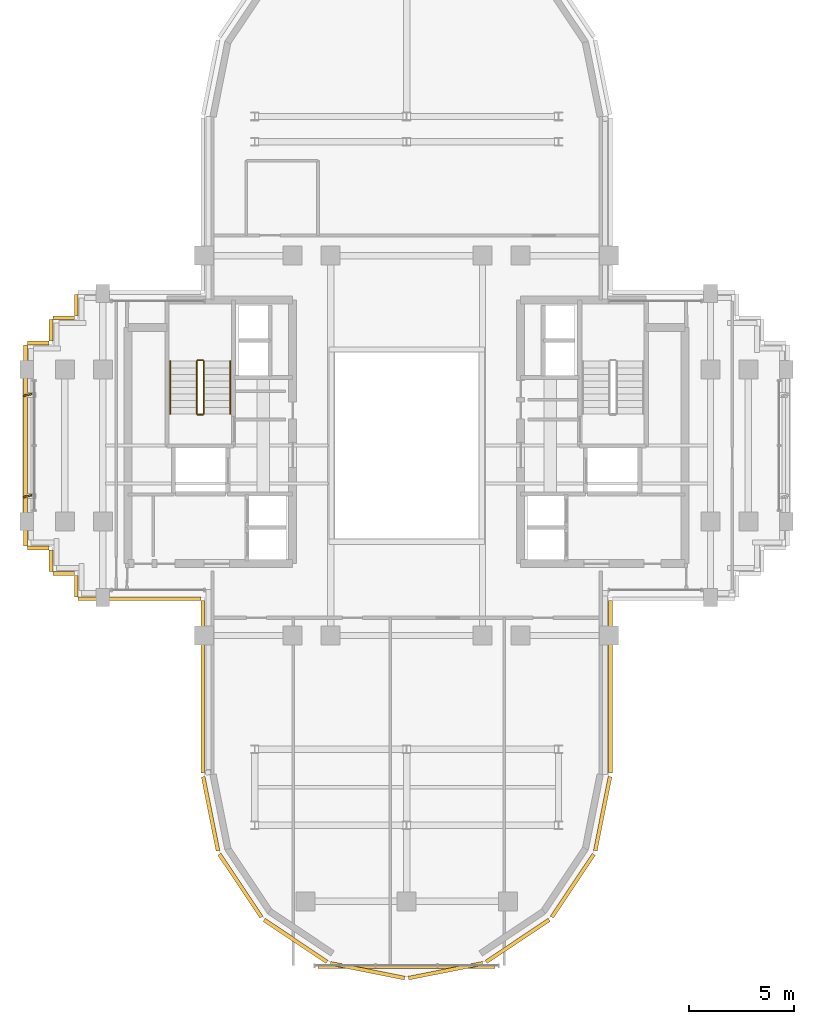
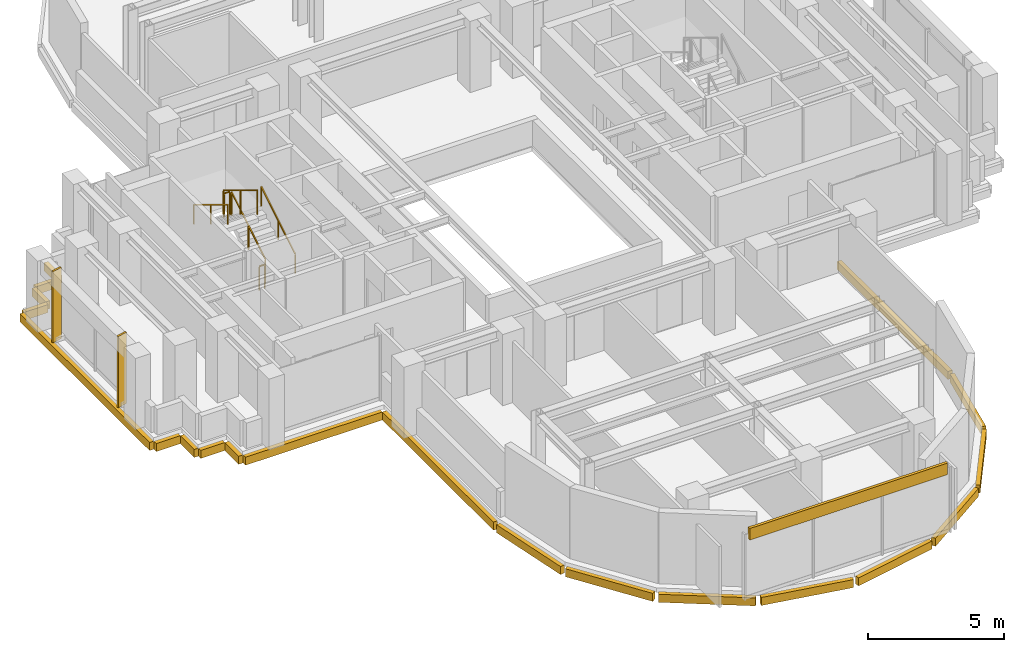
# One storey, part 9 of 11: 21 coverings, 6 railings, 2 shading devices.
"""IFC4 building model written with IfcOpenShell, lengths in metres."""

import ifcopenshell
import ifcopenshell.guid

model = None  # the IFC model being written
_history = None  # IfcOwnerHistory: only IFC2X3 demands one
_inside = {}  # id of a spatial element -> (the spatial element, [elements in it])
_under = {}  # id of a project, library or spatial element -> (it, [spatial elements below it])
_declared = {}  # id of a project -> (the project, [libraries it declares])
_typed = {}  # id of a type object -> (the type object, [elements of that type])
_made_of = {}  # id of a material, layer set ... -> (it, [elements and type objects made of it])


def new_model(schema):
    """Start an empty IFC model of exactly this schema.

    Asked for "IFC4X3", IfcOpenShell would pick the latest addendum, in which some entities
    have other attributes; the version numbers below select the first issue.
    IFC2X3 requires an IfcOwnerHistory on every rooted entity: one is made here for all.
    """
    global model, _history
    if schema == "IFC4X3":
        model = ifcopenshell.file(schema_version=(4, 3, 0, 0))
    else:
        model = ifcopenshell.file(schema=schema)
    _inside.clear()
    _under.clear()
    _declared.clear()
    _typed.clear()
    _made_of.clear()
    _history = None
    if model.schema == "IFC2X3":
        org = make("IfcOrganization", Name="unknown")
        user = make(
            "IfcPersonAndOrganization",
            ThePerson=make("IfcPerson", FamilyName="unknown"),
            TheOrganization=org,
        )
        app = make(
            "IfcApplication",
            ApplicationDeveloper=org,
            Version="unknown",
            ApplicationFullName="unknown",
            ApplicationIdentifier="unknown",
        )
        _history = make(
            "IfcOwnerHistory",
            OwningUser=user,
            OwningApplication=app,
            ChangeAction="ADDED",
            CreationDate=0,
        )
    return model


def make(cls, **values):
    """One entity of the class cls with the attributes given. An attribute that is None is left unset."""
    return model.create_entity(
        cls, **{name: value for name, value in values.items() if value is not None}
    )


def rooted(cls, **values):
    """An entity with a GlobalId (a new one), such as an element, a storey or a relation."""
    return make(cls, GlobalId=ifcopenshell.guid.new(), OwnerHistory=_history, **values)


def si_unit(unit_type, name, prefix=None):
    """IfcSIUnit, for example si_unit("LENGTHUNIT", "METRE", prefix="MILLI")."""
    return make("IfcSIUnit", UnitType=unit_type, Prefix=prefix, Name=name)


def assignment(units):
    """IfcUnitAssignment: the units of a project."""
    return None if units is None else make("IfcUnitAssignment", Units=units)


def point(xyz):
    """IfcCartesianPoint."""
    return None if xyz is None else make("IfcCartesianPoint", Coordinates=xyz)


def direction(xyz):
    """IfcDirection."""
    return None if xyz is None else make("IfcDirection", DirectionRatios=xyz)


def frame(location, z_axis=None, x_axis=None):
    """IfcAxis2Placement3D, a coordinate frame: its origin and axes. An axis left out is left unset."""
    return make(
        "IfcAxis2Placement3D",
        Location=point(location),
        Axis=direction(z_axis),
        RefDirection=direction(x_axis),
    )


def frame_2d(location, x_axis=None):
    """IfcAxis2Placement2D, a coordinate frame in the plane: its origin and x axis."""
    return make(
        "IfcAxis2Placement2D", Location=point(location), RefDirection=direction(x_axis)
    )


def origin():
    """The frame at (0, 0, 0) with its axes left unset."""
    return frame((0.0, 0.0, 0.0))


def origin_2d():
    """The frame at (0, 0) in the plane with its x axis left unset."""
    return frame_2d((0.0, 0.0))


def place(relative_to, where):
    """IfcLocalPlacement: puts the frame where relative to a parent placement (None: the world)."""
    return make(
        "IfcLocalPlacement", PlacementRelTo=relative_to, RelativePlacement=where
    )


def context(
    kind, dimensions, precision=None, world=None, true_north=None, identifier=None
):
    """IfcGeometricRepresentationContext, for example the 3D "Model" context."""
    return make(
        "IfcGeometricRepresentationContext",
        ContextIdentifier=identifier,
        ContextType=kind,
        CoordinateSpaceDimension=dimensions,
        Precision=precision,
        WorldCoordinateSystem=world,
        TrueNorth=true_north,
    )


def subcontext(parent, identifier, kind, view, scale=None):
    """IfcGeometricRepresentationSubContext, for example "Body" below "Model"."""
    return make(
        "IfcGeometricRepresentationSubContext",
        ContextIdentifier=identifier,
        ContextType=kind,
        ParentContext=parent,
        TargetScale=scale,
        TargetView=view,
    )


def project(units=None, contexts=None):
    """IfcProject with its units and contexts."""
    return rooted(
        "IfcProject",
        Name="project",
        RepresentationContexts=contexts,
        UnitsInContext=assignment(units),
    )


def spatial(cls, under=None, at=None, **own):
    """A site, building, storey or space (cls), placed at a placement, below another one or the project."""
    s = rooted(cls, ObjectPlacement=at, **own)
    if under is not None:
        _under.setdefault(under.id(), (under, []))[1].append(s)
    return s


def profile(cls, at=None, kind="AREA", **sizes):
    """A parametric profile (cls). Its sizes go by their IFC names, for example OverallWidth=200.0."""
    return make(cls, ProfileType=kind, Position=at, **sizes)


def rectangle(**sizes):
    """IfcRectangleProfileDef."""
    return profile("IfcRectangleProfileDef", **sizes)


def extrude(swept, where, along, depth):
    """IfcExtrudedAreaSolid: the profile swept, set in the frame where, extruded along a direction by depth."""
    return make(
        "IfcExtrudedAreaSolid",
        SweptArea=swept,
        Position=where,
        ExtrudedDirection=direction(along),
        Depth=depth,
    )


def shape(context_of_items, identifier, shape_type, items):
    """IfcShapeRepresentation: the items that make up one representation, for example the "Body"."""
    return make(
        "IfcShapeRepresentation",
        ContextOfItems=context_of_items,
        RepresentationIdentifier=identifier,
        RepresentationType=shape_type,
        Items=items,
    )


def source(mapping_origin, context_of_items, identifier, shape_type, items):
    """IfcRepresentationMap: a shape defined once, which mapped items show again and again."""
    return make(
        "IfcRepresentationMap",
        MappingOrigin=mapping_origin,
        MappedRepresentation=shape(context_of_items, identifier, shape_type, items),
    )


def transform(
    local_origin,
    x_axis=None,
    y_axis=None,
    z_axis=None,
    scale=None,
    scale2=None,
    scale3=None,
    uniform=True,
):
    """IfcCartesianTransformationOperator3D, or its non-uniform kind. x_axis, y_axis, z_axis: its Axis1, 2, 3."""
    if uniform:
        return make(
            "IfcCartesianTransformationOperator3D",
            Axis1=direction(x_axis),
            Axis2=direction(y_axis),
            LocalOrigin=point(local_origin),
            Scale=scale,
            Axis3=direction(z_axis),
        )
    return make(
        "IfcCartesianTransformationOperator3DnonUniform",
        Axis1=direction(x_axis),
        Axis2=direction(y_axis),
        LocalOrigin=point(local_origin),
        Scale=scale,
        Axis3=direction(z_axis),
        Scale2=scale2,
        Scale3=scale3,
    )


def mapped(mapping_source, mapping_target):
    """IfcMappedItem: shows the shape of a source again, moved by a transform."""
    return make(
        "IfcMappedItem", MappingSource=mapping_source, MappingTarget=mapping_target
    )


def material(Name=None, Category=None):
    """IfcMaterial."""
    return make("IfcMaterial", Name=Name, Category=Category)


def layer(
    of_material, thickness, ventilated=None, Name=None, Category=None, Priority=None
):
    """IfcMaterialLayer: one layer of a wall or slab, of a material (None: an air gap)."""
    return make(
        "IfcMaterialLayer",
        Material=of_material,
        LayerThickness=thickness,
        IsVentilated=ventilated,
        Name=Name,
        Category=Category,
        Priority=Priority,
    )


def layer_set(layers, Name=None):
    """IfcMaterialLayerSet."""
    return make("IfcMaterialLayerSet", MaterialLayers=layers, LayerSetName=Name)


def made_of(thing, what):
    """Note that an element or type object is made of a material, layer set ...; save() writes the relation."""
    if what is not None:
        _made_of.setdefault(what.id(), (what, []))[1].append(thing)
    return thing


def type_object(cls, material=None, **own):
    """A type object (cls), such as IfcWallType, which elements share."""
    return made_of(rooted(cls, **own), material)


def element(
    cls,
    number,
    at=None,
    inside=None,
    cuts=None,
    type_object=None,
    material=None,
    context=None,
    identifier="Body",
    shape_type=None,
    held_by="IfcProductDefinitionShape",
    body=None,
    shapes=None,
    **own,
):
    """One element of the class cls, such as IfcWall. Its Tag is "e" and its number.

    at: its placement. inside: the storey or other place that contains it. cuts: it is an
    opening in that element (IfcRelVoidsElement). A single representation is given by context,
    identifier, shape_type and body (its items); several are given by shapes. held_by: the class
    of the entity that holds the representations. save() writes the other relations.
    """
    e = rooted(cls, Tag="e%d" % number, ObjectPlacement=at, **own)
    if body is not None:
        shapes = [shape(context, identifier, shape_type, body)]
    if shapes is not None:
        e.Representation = make(held_by, Representations=shapes)
    if inside is not None:
        _inside.setdefault(inside.id(), (inside, []))[1].append(e)
    if cuts is not None:
        rooted(
            "IfcRelVoidsElement", RelatingBuildingElement=cuts, RelatedOpeningElement=e
        )
    if type_object is not None:
        _typed.setdefault(type_object.id(), (type_object, []))[1].append(e)
    return made_of(e, material)


def aggregate(whole, parts):
    """IfcRelAggregates: a whole, such as a stair, and the parts it consists of."""
    return rooted("IfcRelAggregates", RelatingObject=whole, RelatedObjects=parts)


def save(model, path):
    """Write the relations noted so far, then the file.

    IfcRelAggregates (storeys below a building ...), IfcRelContainedInSpatialStructure (elements
    in a storey), IfcRelDefinesByType, IfcRelAssociatesMaterial and IfcRelDeclares: one each for
    every whole, place, type object, material and project.
    """
    for whole, parts in _under.values():
        aggregate(whole, parts)
    for where, things in _inside.values():
        rooted(
            "IfcRelContainedInSpatialStructure",
            RelatedElements=things,
            RelatingStructure=where,
        )
    for kind, things in _typed.values():
        rooted("IfcRelDefinesByType", RelatedObjects=things, RelatingType=kind)
    for what, things in _made_of.values():
        rooted("IfcRelAssociatesMaterial", RelatedObjects=things, RelatingMaterial=what)
    for by, libraries in _declared.values():
        rooted("IfcRelDeclares", RelatingContext=by, RelatedDefinitions=libraries)
    model.write(path)


model = new_model("IFC4")

# Units and contexts
model_context = context("Model", 3, precision=1e-05, world=origin(), true_north=direction((0.0, 1.0)))
body_context = subcontext(model_context, "Body", "Model", "MODEL_VIEW")
ifc_project = project(units=[si_unit("LENGTHUNIT", "METRE"), si_unit("AREAUNIT", "SQUARE_METRE"), si_unit("VOLUMEUNIT", "CUBIC_METRE"), si_unit("PLANEANGLEUNIT", "RADIAN"), si_unit("MASSUNIT", "GRAM", prefix="KILO")], contexts=[model_context])

# Site, building, storey
site_placement = place(None, origin())
site = spatial("IfcSite", under=ifc_project, at=site_placement, CompositionType="ELEMENT")
building_placement = place(site_placement, origin())
building = spatial("IfcBuilding", under=site, at=building_placement, Name="Keilestroom Media Tower", CompositionType="ELEMENT")
storey_placement = place(building_placement, frame((0.0, 0.0, 163.800048828125)))
storey = spatial("IfcBuildingStorey", under=building, at=storey_placement, Name="L44", CompositionType="ELEMENT", Elevation=163.800048828125)

# Railings
ifc_material_1 = material(Name="Brushed Stainless Steel 1.4301", Category="steel")
railing_type_1 = type_object("IfcRailingType", Name="Stair-Pitch-Handrail-920", PredefinedType="HANDRAIL", material=ifc_material_1)
railing_1_placement = place(storey_placement, frame((-8.35009765625, 1.5, 0.188720703125)))
element("IfcRailing", 1, at=railing_1_placement, inside=storey, type_object=railing_type_1, Name="L44 ST-1 stair handrail 1", PredefinedType="HANDRAIL", context=body_context, shape_type="SweptSolid", body=[
    extrude(rectangle(XDim=0.048095703125, YDim=0.048095703125, at=origin_2d()), frame((0.0, 0.0, 0.8759765625), z_axis=(0.0, 0.855433747314, 0.517912255074), x_axis=(-1.0, 0.0, 0.0)), (0.0, 0.0, 1.0), 2.91796875),
    extrude(rectangle(XDim=0.0419921875, YDim=0.0419921875, at=origin_2d()), origin(), (0.0, 0.0, 1.0), 0.84375),
    extrude(rectangle(XDim=0.0419921875, YDim=0.0419921875, at=origin_2d()), frame((0.0, 1.248046875, 0.755615234375)), (0.0, 0.0, 1.0), 0.84375),
    extrude(rectangle(XDim=0.0419921875, YDim=0.0419921875, at=origin_2d()), frame((0.0, 2.49609375, 1.51123046875)), (0.0, 0.0, 1.0), 0.84375),
])
railing_2_placement = place(storey_placement, frame((-11.2099609375, 3.99609375, 1.888916015625)))
element("IfcRailing", 2, at=railing_2_placement, inside=storey, type_object=railing_type_1, Name="L44 ST-1 stair handrail 2", PredefinedType="HANDRAIL", context=body_context, shape_type="SweptSolid", body=[
    extrude(rectangle(XDim=0.048095703125, YDim=0.048095703125, at=origin_2d()), frame((0.0, 0.0, 0.8759765625), z_axis=(0.0, -0.855470815493, 0.517851024754), x_axis=(1.0, 0.0, 0.0)), (0.0, 0.0, 1.0), 2.917724609375),
    extrude(rectangle(XDim=0.0419921875, YDim=0.0419921875, at=origin_2d()), origin(), (0.0, 0.0, 1.0), 0.84375),
    extrude(rectangle(XDim=0.0419921875, YDim=0.0419921875, at=origin_2d()), frame((0.0, -1.248046875, 0.75537109375)), (0.0, 0.0, 1.0), 0.84375),
    extrude(rectangle(XDim=0.0419921875, YDim=0.0419921875, at=origin_2d()), frame((0.0, -2.49609375, 1.510986328125)), (0.0, 0.0, 1.0), 0.84375),
])
ifc_material_2 = material(Name="Painted Steel Balustrade", Category="steel")
railing_type_2 = type_object("IfcRailingType", Name="Stair-Well-And-Landing-Guard-1100", PredefinedType="GUARDRAIL", material=ifc_material_2)
railing_3_placement = place(storey_placement, frame((-9.610107421875, 1.5, 0.188720703125)))
element("IfcRailing", 3, at=railing_3_placement, inside=storey, type_object=railing_type_2, Name="L44 ST-1 stair guard 1", PredefinedType="GUARDRAIL", context=body_context, shape_type="SweptSolid", body=[
    extrude(rectangle(XDim=0.048095703125, YDim=0.048095703125, at=origin_2d()), frame((0.0, 0.0, 1.076171875), z_axis=(0.0, 0.855433747314, 0.517912255074), x_axis=(-1.0, 0.0, 0.0)), (0.0, 0.0, 1.0), 2.91796875),
    extrude(rectangle(XDim=0.0419921875, YDim=0.0419921875, at=origin_2d()), origin(), (0.0, 0.0, 1.0), 1.0439453125),
    extrude(rectangle(XDim=0.0419921875, YDim=0.0419921875, at=origin_2d()), frame((0.0, 1.248046875, 0.755615234375)), (0.0, 0.0, 1.0), 1.0439453125),
    extrude(rectangle(XDim=0.0419921875, YDim=0.0419921875, at=origin_2d()), frame((0.0, 2.49609375, 1.51123046875)), (0.0, 0.0, 1.0), 1.0439453125),
])
railing_4_placement = place(storey_placement, frame((-9.659912109375, 4.0458984375, 1.699951171875)))
element("IfcRailing", 4, at=railing_4_placement, inside=storey, type_object=railing_type_2, Name="L44 ST-1 stair guard 2", PredefinedType="GUARDRAIL", context=body_context, shape_type="SweptSolid", body=[
    extrude(rectangle(XDim=0.048095703125, YDim=0.048095703125, at=origin_2d()), frame((0.0, 0.0, 1.076171875), z_axis=(-1.0, 0.0, 0.0), x_axis=(0.0, -1.0, 0.0)), (0.0, 0.0, 1.0), 0.239990234375),
    extrude(rectangle(XDim=0.0419921875, YDim=0.0419921875, at=origin_2d()), origin(), (0.0, 0.0, 1.0), 1.0439453125),
    extrude(rectangle(XDim=0.0419921875, YDim=0.0419921875, at=origin_2d()), frame((-0.239990234375, 0.0, 0.0)), (0.0, 0.0, 1.0), 1.0439453125),
])
railing_5_placement = place(storey_placement, frame((-9.949951171875, 3.99609375, 1.888916015625)))
element("IfcRailing", 5, at=railing_5_placement, inside=storey, type_object=railing_type_2, Name="L44 ST-1 stair guard 3", PredefinedType="GUARDRAIL", context=body_context, shape_type="SweptSolid", body=[
    extrude(rectangle(XDim=0.048095703125, YDim=0.048095703125, at=origin_2d()), frame((0.0, 0.0, 1.076171875), z_axis=(0.0, -0.855470815493, 0.517851024754), x_axis=(1.0, 0.0, 0.0)), (0.0, 0.0, 1.0), 2.917724609375),
    extrude(rectangle(XDim=0.0419921875, YDim=0.0419921875, at=origin_2d()), origin(), (0.0, 0.0, 1.0), 1.0439453125),
    extrude(rectangle(XDim=0.0419921875, YDim=0.0419921875, at=origin_2d()), frame((0.0, -1.248046875, 0.75537109375)), (0.0, 0.0, 1.0), 1.0439453125),
    extrude(rectangle(XDim=0.0419921875, YDim=0.0419921875, at=origin_2d()), frame((0.0, -2.49609375, 1.510986328125)), (0.0, 0.0, 1.0), 1.0439453125),
])
railing_6_placement = place(storey_placement, frame((-9.659912109375, 1.449951171875, 0.0)))
element("IfcRailing", 6, at=railing_6_placement, inside=storey, type_object=railing_type_2, Name="L44 ST-1 stair guard 4", PredefinedType="GUARDRAIL", context=body_context, shape_type="SweptSolid", body=[
    extrude(rectangle(XDim=0.048095703125, YDim=0.048095703125, at=origin_2d()), frame((0.0, 0.0, 1.076171875), z_axis=(-1.0, 0.0, 0.0), x_axis=(0.0, -1.0, 0.0)), (0.0, 0.0, 1.0), 0.239990234375),
    extrude(rectangle(XDim=0.0419921875, YDim=0.0419921875, at=origin_2d()), origin(), (0.0, 0.0, 1.0), 1.0439453125),
    extrude(rectangle(XDim=0.0419921875, YDim=0.0419921875, at=origin_2d()), frame((-0.239990234375, 0.0, 0.0)), (0.0, 0.0, 1.0), 1.0439453125),
])

# Covering
ifc_material_3 = material(Name="Precast concrete C40/50", Category="concrete")
ifc_layer = layer(ifc_material_3, 0.1201171875)
ifc_layer_set = layer_set([ifc_layer], Name="Precast concrete C40/50")
covering_type = type_object("IfcCoveringType", Name="Exterior-Precast-Spandrel-Cladding-Panel-120", PredefinedType="CLADDING", material=ifc_layer_set)
shared_shape_1 = source(origin(), body_context, "Body", "SweptSolid", [
    extrude(rectangle(XDim=8.39990234375, YDim=0.1201171875, at=origin_2d()), origin(), (0.0, 0.0, 1.0), 0.52001953125),
])
covering_1_placement = place(storey_placement, frame((0.0, -24.719970703125, 2.68994140625), z_axis=(0.0, 0.0, 1.0), x_axis=(1.0, 0.0, 0.0)))
element("IfcCovering", 7, at=covering_1_placement, inside=storey, type_object=covering_type, Name="L44 Precast Spandrel Cladding S", PredefinedType="CLADDING", context=body_context, shape_type="MappedRepresentation", body=[
    mapped(shared_shape_1, transform((0.0, 0.0, 0.0), x_axis=(1.0, 0.0, 0.0), y_axis=(0.0, 1.0, 0.0), z_axis=(0.0, 0.0, 1.0), scale=1.0)),
])

# Shading devices
ifc_material_4 = material(Name="Bronze Anodised Aluminium", Category="aluminium")
shading_device_type = type_object("IfcShadingDeviceType", Name="Facade-Vertical-Sunshade-Fin-SHD-1", PredefinedType="USERDEFINED", material=ifc_material_4)
shared_shape_2 = source(origin(), body_context, "Body", "SweptSolid", [
    extrude(rectangle(XDim=0.419921875, YDim=0.080078125, at=origin_2d()), origin(), (0.0, 0.0, 1.0), 3.199951171875),
])
for number, where, z_axis, x_axis, name in (
    (8, (-17.969970703125, -2.39990234375, 0.0), (0.0, 0.0, 1.0), (0.971755430305, 0.235990219443, 0.0), "L44 Twisting Sunshade Fin SHD-1 057"),
    (9, (-17.969970703125, 2.39990234375, 0.0), (0.0, 0.0, 1.0), (0.971755430305, 0.235990219443, 0.0), "L44 Twisting Sunshade Fin SHD-1 058"),
):
    element("IfcShadingDevice", number, at=place(storey_placement, frame(where, z_axis=z_axis, x_axis=x_axis)), inside=storey, type_object=shading_device_type, Name=name, ObjectType="SUNSHADE", PredefinedType="USERDEFINED", context=body_context, shape_type="MappedRepresentation", body=[
        mapped(shared_shape_2, transform((0.0, 0.0, 0.0), x_axis=(1.0, 0.0, 0.0), y_axis=(0.0, 1.0, 0.0), z_axis=(0.0, 0.0, 1.0), scale=1.0)),
    ])

# Coverings
shared_shape_3 = source(origin(), body_context, "Body", "SweptSolid", [
    extrude(rectangle(XDim=1.02001953125, YDim=0.179931640625, at=origin_2d()), origin(), (0.0, 0.0, 1.0), 0.360107421875),
])
for number, where, z_axis, x_axis, name in (
    (10, (-15.659912109375, -6.659912109375, -0.5400390625), (0.0, 0.0, 1.0), (0.0, 1.0, 0.0), "L44 Precast Slab-Edge Fascia Cornice 17"),
    (11, (-16.260009765625, -6.06005859375, -0.5400390625), (0.0, 0.0, 1.0), (-1.0, 0.0, 0.0), "L44 Precast Slab-Edge Fascia Cornice 18"),
    (12, (-16.860107421875, -5.4599609375, -0.5400390625), (0.0, 0.0, 1.0), (0.0, 1.0, 0.0), "L44 Precast Slab-Edge Fascia Cornice 19"),
    (13, (-17.4599609375, -4.860107421875, -0.5400390625), (0.0, 0.0, 1.0), (-1.0, 0.0, 0.0), "L44 Precast Slab-Edge Fascia Cornice 20"),
    (14, (-17.4599609375, 4.860107421875, -0.5400390625), (0.0, 0.0, 1.0), (1.0, 0.0, 0.0), "L44 Precast Slab-Edge Fascia Cornice 22"),
    (15, (-16.860107421875, 5.4599609375, -0.5400390625), (0.0, 0.0, 1.0), (0.0, 1.0, 0.0), "L44 Precast Slab-Edge Fascia Cornice 23"),
    (16, (-16.260009765625, 6.06005859375, -0.5400390625), (0.0, 0.0, 1.0), (1.0, 0.0, 0.0), "L44 Precast Slab-Edge Fascia Cornice 24"),
    (17, (-15.659912109375, 6.659912109375, -0.5400390625), (0.0, 0.0, 1.0), (0.0, 1.0, 0.0), "L44 Precast Slab-Edge Fascia Cornice 25"),
):
    element("IfcCovering", number, at=place(storey_placement, frame(where, z_axis=z_axis, x_axis=x_axis)), inside=storey, type_object=covering_type, Name=name, PredefinedType="CLADDING", context=body_context, shape_type="MappedRepresentation", body=[
        mapped(shared_shape_3, transform((0.0, 0.0, 0.0), x_axis=(1.0, 0.0, 0.0), y_axis=(0.0, 1.0, 0.0), z_axis=(0.0, 0.0, 1.0), scale=1.0)),
    ])
shared_shape_4 = source(origin(), body_context, "Body", "SweptSolid", [
    extrude(rectangle(XDim=8.166015625, YDim=0.179931640625, at=origin_2d()), origin(), (0.0, 0.0, 1.0), 0.360107421875),
])
for number, where, z_axis, x_axis, name in (
    (18, (9.659912109375, -11.43310546875, -0.5400390625), (0.0, 0.0, 1.0), (0.0, -1.0, 0.0), "L44 Precast Slab-Edge Fascia Cornice 06"),
    (19, (-9.659912109375, -11.43310546875, -0.5400390625), (0.0, 0.0, 1.0), (0.0, 1.0, 0.0), "L44 Precast Slab-Edge Fascia Cornice 15"),
):
    element("IfcCovering", number, at=place(storey_placement, frame(where, z_axis=z_axis, x_axis=x_axis)), inside=storey, type_object=covering_type, Name=name, PredefinedType="CLADDING", context=body_context, shape_type="MappedRepresentation", body=[
        mapped(shared_shape_4, transform((0.0, 0.0, 0.0), x_axis=(1.0, 0.0, 0.0), y_axis=(0.0, 1.0, 0.0), z_axis=(0.0, 0.0, 1.0), scale=1.0)),
    ])
shared_shape_5 = source(origin(), body_context, "Body", "SweptSolid", [
    extrude(rectangle(XDim=3.58349609375, YDim=0.179931640625, at=origin_2d()), origin(), (0.0, 0.0, 1.0), 0.360107421875),
])
for number, where, z_axis, x_axis, name in (
    (20, (9.29296875, -17.45166015625, -0.5400390625), (0.0, 0.0, 1.0), (-0.195098880975, -0.980783577882, 0.0), "L44 Precast Slab-Edge Fascia Cornice 07"),
    (21, (-9.29296875, -17.45166015625, -0.5400390625), (0.0, 0.0, 1.0), (-0.195098880975, 0.980783577882, 0.0), "L44 Precast Slab-Edge Fascia Cornice 14"),
):
    element("IfcCovering", number, at=place(storey_placement, frame(where, z_axis=z_axis, x_axis=x_axis)), inside=storey, type_object=covering_type, Name=name, PredefinedType="CLADDING", context=body_context, shape_type="MappedRepresentation", body=[
        mapped(shared_shape_5, transform((0.0, 0.0, 0.0), x_axis=(1.0, 0.0, 0.0), y_axis=(0.0, 1.0, 0.0), z_axis=(0.0, 0.0, 1.0), scale=1.0)),
    ])
shared_shape_6 = source(origin(), body_context, "Body", "SweptSolid", [
    extrude(rectangle(XDim=3.589599609375, YDim=0.179931640625, at=origin_2d()), origin(), (0.0, 0.0, 1.0), 0.360107421875),
])
for number, where, z_axis, x_axis, name in (
    (22, (7.878662109375, -20.8642578125, -0.5400390625), (0.0, 0.0, 1.0), (-0.555574586577, -0.831466703332, 0.0), "L44 Precast Slab-Edge Fascia Cornice 08"),
    (23, (5.264404296875, -23.478515625, -0.5400390625), (0.0, 0.0, 1.0), (-0.831466703332, -0.555574586577, 0.0), "L44 Precast Slab-Edge Fascia Cornice 09"),
    (24, (1.8486328125, -24.893310546875, -0.5400390625), (0.0, 0.0, 1.0), (-0.980783577882, -0.195098880975, 0.0), "L44 Precast Slab-Edge Fascia Cornice 10"),
    (25, (-1.8486328125, -24.893310546875, -0.5400390625), (0.0, 0.0, 1.0), (-0.980783577882, 0.195098880975, 0.0), "L44 Precast Slab-Edge Fascia Cornice 11"),
    (26, (-5.264404296875, -23.478515625, -0.5400390625), (0.0, 0.0, 1.0), (-0.831466703332, 0.555574586577, 0.0), "L44 Precast Slab-Edge Fascia Cornice 12"),
    (27, (-7.878662109375, -20.8642578125, -0.5400390625), (0.0, 0.0, 1.0), (-0.555574586577, 0.831466703332, 0.0), "L44 Precast Slab-Edge Fascia Cornice 13"),
):
    element("IfcCovering", number, at=place(storey_placement, frame(where, z_axis=z_axis, x_axis=x_axis)), inside=storey, type_object=covering_type, Name=name, PredefinedType="CLADDING", context=body_context, shape_type="MappedRepresentation", body=[
        mapped(shared_shape_6, transform((0.0, 0.0, 0.0), x_axis=(1.0, 0.0, 0.0), y_axis=(0.0, 1.0, 0.0), z_axis=(0.0, 0.0, 1.0), scale=1.0)),
    ])
shared_shape_7 = source(origin(), body_context, "Body", "SweptSolid", [
    extrude(rectangle(XDim=9.5400390625, YDim=0.179931640625, at=origin_2d()), origin(), (0.0, 0.0, 1.0), 0.360107421875),
])
covering_2_placement = place(storey_placement, frame((-18.06005859375, 0.0, -0.5400390625), z_axis=(0.0, 0.0, 1.0), x_axis=(0.0, 1.0, 0.0)))
element("IfcCovering", 28, at=covering_2_placement, inside=storey, type_object=covering_type, Name="L44 Precast Slab-Edge Fascia Cornice 21", PredefinedType="CLADDING", context=body_context, shape_type="MappedRepresentation", body=[
    mapped(shared_shape_7, transform((0.0, 0.0, 0.0), x_axis=(1.0, 0.0, 0.0), y_axis=(0.0, 1.0, 0.0), z_axis=(0.0, 0.0, 1.0), scale=1.0)),
])
shared_shape_8 = source(origin(), body_context, "Body", "SweptSolid", [
    extrude(rectangle(XDim=5.820068359375, YDim=0.179931640625, at=origin_2d()), origin(), (0.0, 0.0, 1.0), 0.360107421875),
])
covering_3_placement = place(storey_placement, frame((-12.659912109375, -7.260009765625, -0.5400390625), z_axis=(0.0, 0.0, 1.0), x_axis=(-1.0, 0.0, 0.0)))
element("IfcCovering", 29, at=covering_3_placement, inside=storey, type_object=covering_type, Name="L44 Precast Slab-Edge Fascia Cornice 16", PredefinedType="CLADDING", context=body_context, shape_type="MappedRepresentation", body=[
    mapped(shared_shape_8, transform((0.0, 0.0, 0.0), x_axis=(1.0, 0.0, 0.0), y_axis=(0.0, 1.0, 0.0), z_axis=(0.0, 0.0, 1.0), scale=1.0)),
])

save(model, "model.ifc")
